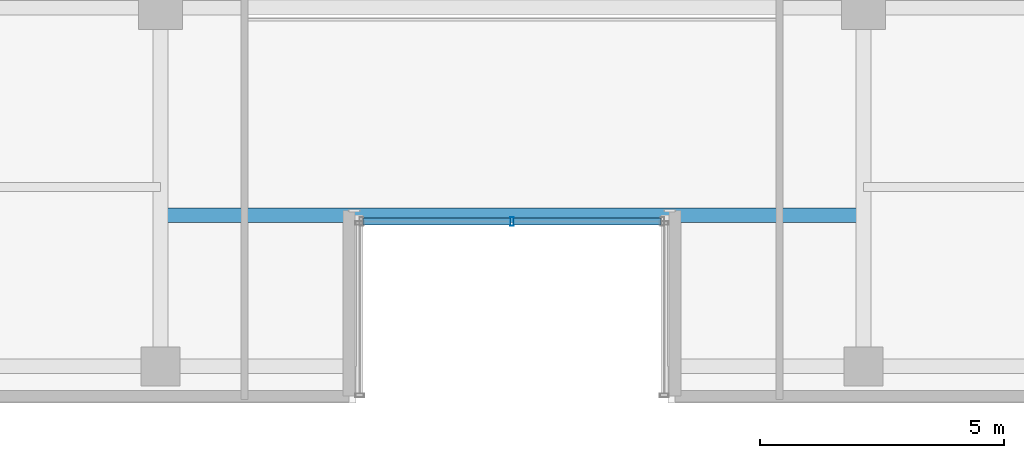
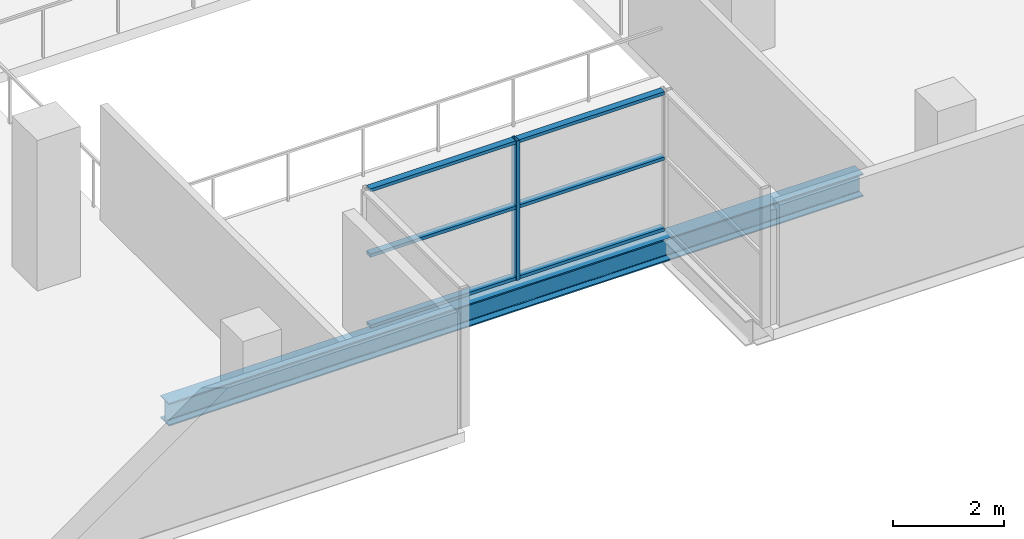
# One storey, part 6 of 25: 7 members, 1 beam, 1 element without a shape of its own.
"""IFC4 building model written with IfcOpenShell, lengths in metres."""

from ifc_helpers import new_model, si_unit, direction, frame, origin, origin_2d, place, context, subcontext, project, spatial, hollow_rectangle, i_section, extrude, source, transform, mapped, material, layer, layer_set, material_profile, profile_set, type_object, element, aggregate, save


model = new_model("IFC4")

# Units and contexts
model_context = context("Model", 3, precision=1e-05, world=origin(), true_north=direction((0.0, 1.0)))
body_context = subcontext(model_context, "Body", "Model", "MODEL_VIEW")
ifc_project = project(units=[si_unit("LENGTHUNIT", "METRE"), si_unit("AREAUNIT", "SQUARE_METRE"), si_unit("VOLUMEUNIT", "CUBIC_METRE"), si_unit("PLANEANGLEUNIT", "RADIAN"), si_unit("MASSUNIT", "GRAM", prefix="KILO")], contexts=[model_context])

# Site, building, storey
site_placement = place(None, origin())
site = spatial("IfcSite", under=ifc_project, at=site_placement, CompositionType="ELEMENT")
building_placement = place(site_placement, origin())
building = spatial("IfcBuilding", under=site, at=building_placement, Name="Zarnakvel Exchange Tower", CompositionType="ELEMENT")
storey_placement = place(building_placement, frame((0.0, 0.0, 100.0)))
storey = spatial("IfcBuildingStorey", under=building, at=storey_placement, Name="L27", CompositionType="ELEMENT", Elevation=100.0)

# Beam
ifc_material_1 = material(Name="Steel S355", Category="steel")
ifc_material_profile_1 = material_profile(ifc_material_1, i_section(OverallWidth=0.300048828125, OverallDepth=0.5, WebThickness=0.014404296875, FlangeThickness=0.028076171875, FilletRadius=0.027099609375, at=origin_2d()))
ifc_profile_set_1 = profile_set([ifc_material_profile_1], Name="Steel S355")
beam_type = type_object("IfcBeamType", Name="SP-02", PredefinedType="SPANDREL", material=ifc_profile_set_1)
beam_placement = place(storey_placement, frame((-7.199951171875, -13.85009765625, -0.47509765625), z_axis=(1.0, 0.0, 0.0), x_axis=(0.0, 1.0, 0.0)))
element("IfcBeam", 1, at=beam_placement, inside=storey, type_object=beam_type, Name="L27 South Slot Head Trimmer Girder", PredefinedType="SPANDREL", context=body_context, shape_type="SweptSolid", body=[
    extrude(i_section(OverallWidth=0.300048828125, OverallDepth=0.5, WebThickness=0.014404296875, FlangeThickness=0.028076171875, FilletRadius=0.027099609375, at=origin_2d()), origin(), (0.0, 0.0, 1.0), 14.39990234375),
])

# Curtain wall, members
ifc_material_2 = material(Name="Architectural Bronze Anodised Aluminium", Category="aluminium")
ifc_layer = layer(ifc_material_2, 0.179931640625)
ifc_layer_set = layer_set([ifc_layer], Name="Architectural Bronze Anodised Aluminium")
curtain_wall_type = type_object("IfcCurtainWallType", Name="CW-05", PredefinedType="NOTDEFINED", material=ifc_layer_set)
curtain_wall_placement = place(storey_placement, origin())
curtain_wall = element("IfcCurtainWall", 2, at=curtain_wall_placement, inside=storey, type_object=curtain_wall_type, Name="L27 Curtain Wall CW-L27-SLB (CW-05)", PredefinedType="NOTDEFINED")
ifc_material_profile_2 = material_profile(ifc_material_2, hollow_rectangle(XDim=0.139892578125, YDim=0.070068359375, WallThickness=0.00390625, at=origin_2d()))
ifc_profile_set_2 = profile_set([ifc_material_profile_2], Name="Architectural Bronze Anodised Aluminium")
member_type_1 = type_object("IfcMemberType", Name="CWT-05", PredefinedType="USERDEFINED", material=ifc_profile_set_2)
shared_shape_1 = source(origin(), body_context, "Body", "SweptSolid", [
    extrude(hollow_rectangle(XDim=0.139892578125, YDim=0.070068359375, WallThickness=0.00390625, at=origin_2d()), origin(), (0.0, 0.0, 1.0), 3.01513671875),
])
member_1_placement = place(storey_placement, frame((-3.050048828125, -13.97998046875, 0.034912109375), z_axis=(1.0, 0.0, 0.0), x_axis=(0.0, 1.0, 0.0)))
member_1 = element("IfcMember", 3, at=member_1_placement, type_object=member_type_1, Name="CW-05 transom 1.1", ObjectType="TRANSOM", PredefinedType="USERDEFINED", context=body_context, shape_type="MappedRepresentation", body=[
    mapped(shared_shape_1, transform((0.0, 0.0, 0.0), x_axis=(1.0, 0.0, 0.0), y_axis=(0.0, 1.0, 0.0), z_axis=(0.0, 0.0, 1.0), scale=1.0)),
])
member_2_placement = place(storey_placement, frame((-3.050048828125, -13.97998046875, 1.588623046875), z_axis=(1.0, 0.0, 0.0), x_axis=(0.0, 1.0, 0.0)))
member_2 = element("IfcMember", 4, at=member_2_placement, type_object=member_type_1, Name="CW-05 transom 1.2", ObjectType="TRANSOM", PredefinedType="USERDEFINED", context=body_context, shape_type="MappedRepresentation", body=[
    mapped(shared_shape_1, transform((0.0, 0.0, 0.0), x_axis=(1.0, 0.0, 0.0), y_axis=(0.0, 1.0, 0.0), z_axis=(0.0, 0.0, 1.0), scale=1.0)),
])
member_3_placement = place(storey_placement, frame((-3.050048828125, -13.97998046875, 3.02001953125), z_axis=(1.0, 0.0, 0.0), x_axis=(0.0, 1.0, 0.0)))
member_3 = element("IfcMember", 5, at=member_3_placement, type_object=member_type_1, Name="CW-05 transom 1.3", ObjectType="TRANSOM", PredefinedType="USERDEFINED", context=body_context, shape_type="MappedRepresentation", body=[
    mapped(shared_shape_1, transform((0.0, 0.0, 0.0), x_axis=(1.0, 0.0, 0.0), y_axis=(0.0, 1.0, 0.0), z_axis=(0.0, 0.0, 1.0), scale=1.0)),
])
member_4_placement = place(storey_placement, frame((0.034912109375, -13.97998046875, 0.034912109375), z_axis=(1.0, 0.0, 0.0), x_axis=(0.0, 1.0, 0.0)))
member_4 = element("IfcMember", 6, at=member_4_placement, type_object=member_type_1, Name="CW-05 transom 2.1", ObjectType="TRANSOM", PredefinedType="USERDEFINED", context=body_context, shape_type="MappedRepresentation", body=[
    mapped(shared_shape_1, transform((0.0, 0.0, 0.0), x_axis=(1.0, 0.0, 0.0), y_axis=(0.0, 1.0, 0.0), z_axis=(0.0, 0.0, 1.0), scale=1.0)),
])
member_5_placement = place(storey_placement, frame((0.034912109375, -13.97998046875, 1.588623046875), z_axis=(1.0, 0.0, 0.0), x_axis=(0.0, 1.0, 0.0)))
member_5 = element("IfcMember", 7, at=member_5_placement, type_object=member_type_1, Name="CW-05 transom 2.2", ObjectType="TRANSOM", PredefinedType="USERDEFINED", context=body_context, shape_type="MappedRepresentation", body=[
    mapped(shared_shape_1, transform((0.0, 0.0, 0.0), x_axis=(1.0, 0.0, 0.0), y_axis=(0.0, 1.0, 0.0), z_axis=(0.0, 0.0, 1.0), scale=1.0)),
])
member_6_placement = place(storey_placement, frame((0.034912109375, -13.97998046875, 3.02001953125), z_axis=(1.0, 0.0, 0.0), x_axis=(0.0, 1.0, 0.0)))
member_6 = element("IfcMember", 8, at=member_6_placement, type_object=member_type_1, Name="CW-05 transom 2.3", ObjectType="TRANSOM", PredefinedType="USERDEFINED", context=body_context, shape_type="MappedRepresentation", body=[
    mapped(shared_shape_1, transform((0.0, 0.0, 0.0), x_axis=(1.0, 0.0, 0.0), y_axis=(0.0, 1.0, 0.0), z_axis=(0.0, 0.0, 1.0), scale=1.0)),
])
ifc_material_profile_3 = material_profile(ifc_material_2, hollow_rectangle(XDim=0.179931640625, YDim=0.070068359375, WallThickness=0.00390625, at=origin_2d()))
ifc_profile_set_3 = profile_set([ifc_material_profile_3], Name="Architectural Bronze Anodised Aluminium")
member_type_2 = type_object("IfcMemberType", Name="CWM-05", PredefinedType="MULLION", material=ifc_profile_set_3)
shared_shape_2 = source(origin(), body_context, "Body", "SweptSolid", [
    extrude(hollow_rectangle(XDim=0.179931640625, YDim=0.070068359375, WallThickness=0.00390625, at=origin_2d()), origin(), (0.0, 0.0, 1.0), 3.054931640625),
])
member_7_placement = place(storey_placement, frame((0.0, -13.97998046875, 0.0), z_axis=(0.0, 0.0, 1.0), x_axis=(0.0, 1.0, 0.0)))
member_7 = element("IfcMember", 9, at=member_7_placement, type_object=member_type_2, Name="CW-05 mullion 2", PredefinedType="MULLION", context=body_context, shape_type="MappedRepresentation", body=[
    mapped(shared_shape_2, transform((0.0, 0.0, 0.0), x_axis=(1.0, 0.0, 0.0), y_axis=(0.0, 1.0, 0.0), z_axis=(0.0, 0.0, 1.0), scale=1.0)),
])
aggregate(curtain_wall, [member_7, member_1, member_2, member_3, member_4, member_5, member_6])

save(model, "model.ifc")
